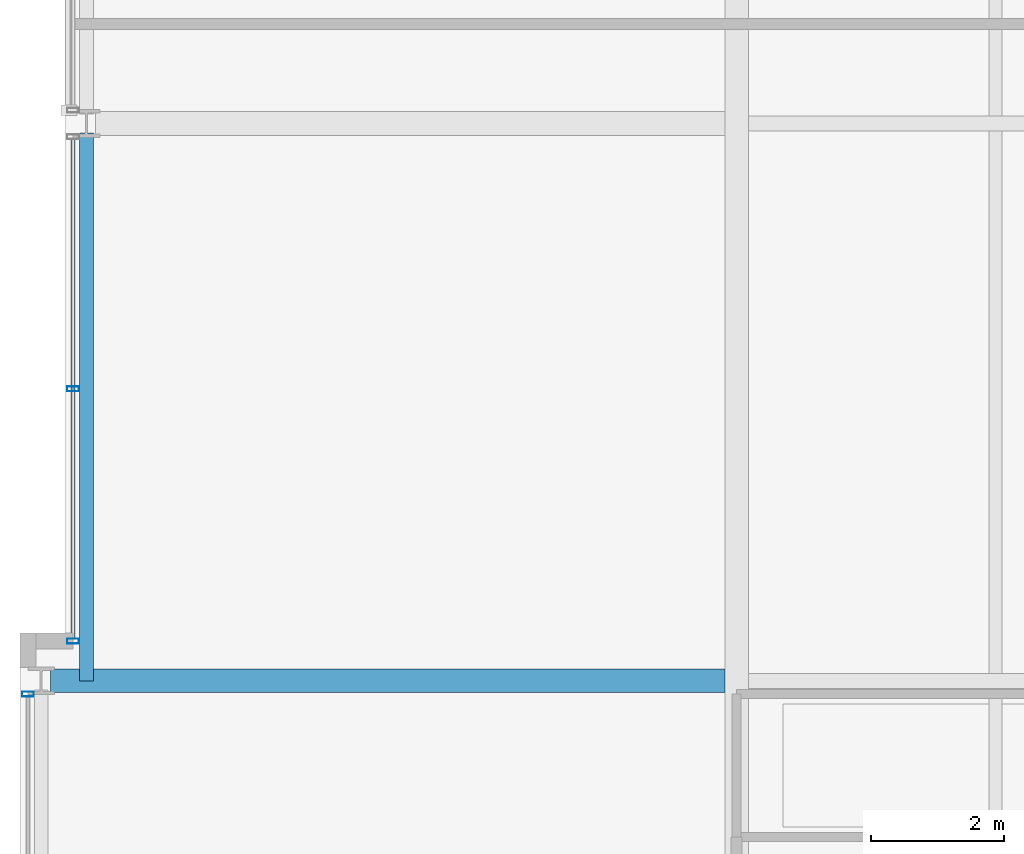
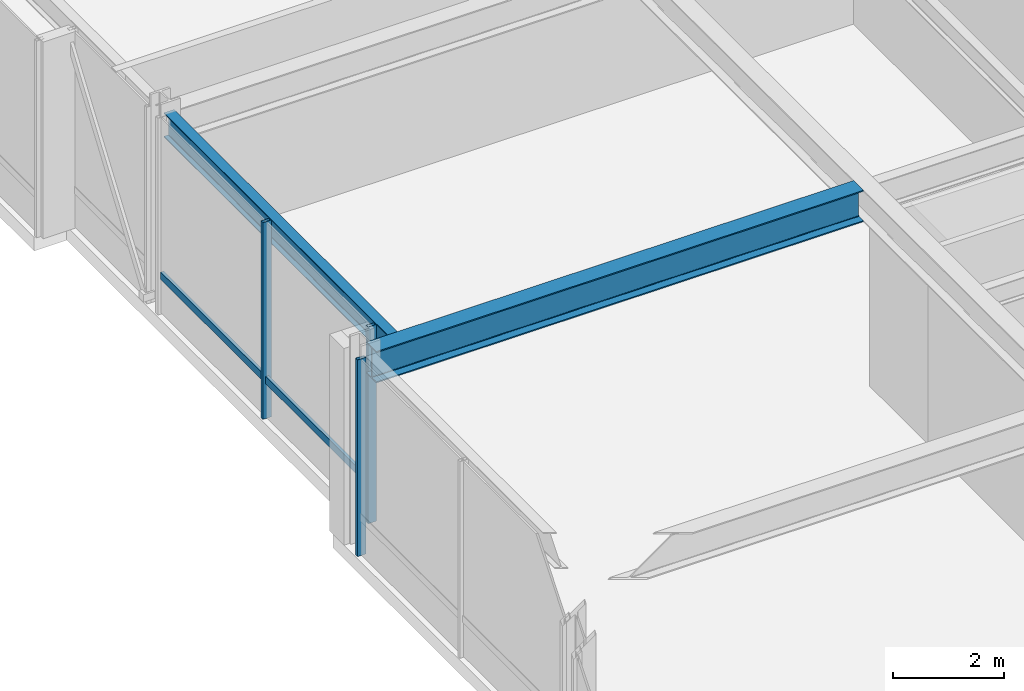
# One storey, part 7 of 32: 4 members, 2 beams, 2 elements without a shape of their own.
"""IFC4 building model written with IfcOpenShell, lengths in metres."""

from ifc_helpers import new_model, si_unit, direction, frame, origin, origin_2d, place, context, subcontext, project, spatial, hollow_rectangle, i_section, extrude, material, layer, layer_set, material_profile, profile_set, type_object, element, aggregate, save


model = new_model("IFC4")

# Units and contexts
model_context = context("Model", 3, precision=1e-05, world=origin(), true_north=direction((0.0, 1.0)))
body_context = subcontext(model_context, "Body", "Model", "MODEL_VIEW")
ifc_project = project(units=[si_unit("LENGTHUNIT", "METRE"), si_unit("AREAUNIT", "SQUARE_METRE"), si_unit("VOLUMEUNIT", "CUBIC_METRE"), si_unit("PLANEANGLEUNIT", "RADIAN"), si_unit("MASSUNIT", "GRAM", prefix="KILO")], contexts=[model_context])

# Site, building, storey
site_placement = place(None, origin())
site = spatial("IfcSite", under=ifc_project, at=site_placement, CompositionType="ELEMENT")
building_placement = place(site_placement, origin())
building = spatial("IfcBuilding", under=site, at=building_placement, Name="Drelvath Grand Hotel", CompositionType="ELEMENT")
storey_placement = place(building_placement, frame((0.0, 0.0, 145.800048828125)))
storey = spatial("IfcBuildingStorey", under=building, at=storey_placement, Name="L37", CompositionType="ELEMENT", Elevation=145.800048828125)

# Curtain wall, member
ifc_material_1 = material(Name="Brushed Pale-Silver Anodised Aluminium Frame", Category="aluminium")
ifc_layer = layer(ifc_material_1, 0.199951171875)
ifc_layer_set = layer_set([ifc_layer], Name="Brushed Pale-Silver Anodised Aluminium Frame")
curtain_wall_type = type_object("IfcCurtainWallType", Name="Stick Curtain Wall CW-04 Brushed Silver Upper-Mid", PredefinedType="NOTDEFINED", material=ifc_layer_set)
curtain_wall_1_placement = place(storey_placement, origin())
curtain_wall_1 = element("IfcCurtainWall", 1, at=curtain_wall_1_placement, inside=storey, type_object=curtain_wall_type, Name="L37 CW-04 Curtain Wall CW04-L37-WM1", PredefinedType="NOTDEFINED")
ifc_material_profile_1 = material_profile(ifc_material_1, hollow_rectangle(XDim=0.06494140625, YDim=0.159912109375, WallThickness=0.00390625, at=origin_2d()), Name="HSS160X65X4")
ifc_profile_set_1 = profile_set([ifc_material_profile_1], Name="Brushed Pale-Silver Anodised Aluminium Frame")
member_type_1 = type_object("IfcMemberType", Name="Curtain Wall Horizontal Transom CW-04 HSS160X65X4", PredefinedType="USERDEFINED", material=ifc_profile_set_1)
member_1_placement = place(storey_placement, frame((-26.199951171875, 19.239990234375, 0.849853515625), z_axis=(0.0, 1.0, 0.0), x_axis=(-1.0, 0.0, 0.0)))
member_1 = element("IfcMember", 2, at=member_1_placement, type_object=member_type_1, Name="CW04-L37-WM1 Sill Transom", ObjectType="TRANSOM", PredefinedType="USERDEFINED", context=body_context, shape_type="SweptSolid", body=[
    extrude(hollow_rectangle(XDim=0.06494140625, YDim=0.159912109375, WallThickness=0.00390625, at=origin_2d()), origin(), (0.0, 0.0, 1.0), 7.52001953125),
])

curtain_wall_2_placement = place(storey_placement, origin())
curtain_wall_2 = element("IfcCurtainWall", 3, at=curtain_wall_2_placement, inside=storey, type_object=curtain_wall_type, Name="L37 CW-04 Curtain Wall CW04-L37-WS2", PredefinedType="NOTDEFINED")
ifc_material_profile_2 = material_profile(ifc_material_1, hollow_rectangle(XDim=0.074951171875, YDim=0.179931640625, WallThickness=0.0048828125, at=origin_2d()), Name="HSS180X75X5")
ifc_profile_set_2 = profile_set([ifc_material_profile_2], Name="Brushed Pale-Silver Anodised Aluminium Frame")
member_type_2 = type_object("IfcMemberType", Name="Curtain Wall Vertical Mullion CW-04 HSS180X75X5", PredefinedType="MULLION", material=ifc_profile_set_2)
member_2_placement = place(storey_placement, frame((-26.8798828125, 18.39990234375, 0.0), z_axis=(0.0, 0.0, 1.0), x_axis=(0.0, 1.0, 0.0)))
member_2 = element("IfcMember", 4, at=member_2_placement, type_object=member_type_2, Name="CW04-L37-WS2 Mullion 3", PredefinedType="MULLION", context=body_context, shape_type="SweptSolid", body=[
    extrude(hollow_rectangle(XDim=0.074951171875, YDim=0.179931640625, WallThickness=0.0048828125, at=origin_2d()), origin(), (0.0, 0.0, 1.0), 4.33984375),
])
aggregate(curtain_wall_2, [member_2])

# Member
member_3_placement = place(storey_placement, frame((-26.199951171875, 19.199951171875, 0.0), z_axis=(0.0, 0.0, 1.0), x_axis=(0.0, 1.0, 0.0)))
member_3 = element("IfcMember", 5, at=member_3_placement, type_object=member_type_2, Name="CW04-L37-WM1 Mullion 1", PredefinedType="MULLION", context=body_context, shape_type="SweptSolid", body=[
    extrude(hollow_rectangle(XDim=0.074951171875, YDim=0.179931640625, WallThickness=0.0048828125, at=origin_2d()), origin(), (0.0, 0.0, 1.0), 4.33984375),
])

member_4_placement = place(storey_placement, frame((-26.199951171875, 23.0, 0.0), z_axis=(0.0, 0.0, 1.0), x_axis=(0.0, 1.0, 0.0)))
member_4 = element("IfcMember", 6, at=member_4_placement, type_object=member_type_2, Name="CW04-L37-WM1 Mullion 2", PredefinedType="MULLION", context=body_context, shape_type="SweptSolid", body=[
    extrude(hollow_rectangle(XDim=0.074951171875, YDim=0.179931640625, WallThickness=0.0048828125, at=origin_2d()), origin(), (0.0, 0.0, 1.0), 4.33984375),
])

aggregate(curtain_wall_1, [member_3, member_4, member_1])

# Beams
ifc_material_2 = material(Name="Steel ASTM A992 Gr 50", Category="steel")
ifc_material_profile_3 = material_profile(ifc_material_2, i_section(OverallWidth=0.210205078125, OverallDepth=0.53662109375, WebThickness=0.010986328125, FlangeThickness=0.017333984375, FilletRadius=0.01806640625, at=origin_2d()), Name="W21X68")
ifc_profile_set_3 = profile_set([ifc_material_profile_3], Name="Steel ASTM A992 Gr 50")
beam_type_1 = type_object("IfcBeamType", Name="Perimeter Spandrel Beam W21X68", PredefinedType="SPANDREL", material=ifc_profile_set_3)
beam_1_placement = place(storey_placement, frame((-26.0, 18.60009765625, 4.071533203125), z_axis=(0.0, 1.0, 0.0), x_axis=(-1.0, 0.0, 0.0)))
element("IfcBeam", 7, at=beam_1_placement, inside=storey, type_object=beam_type_1, Name="L37 Spandrel West Mid S", PredefinedType="SPANDREL", context=body_context, shape_type="SweptSolid", body=[
    extrude(i_section(OverallWidth=0.210205078125, OverallDepth=0.53662109375, WebThickness=0.010986328125, FlangeThickness=0.017333984375, FilletRadius=0.01806640625, at=origin_2d()), origin(), (0.0, 0.0, 1.0), 8.260009765625),
])
ifc_material_profile_4 = material_profile(ifc_material_2, i_section(OverallWidth=0.354736328125, OverallDepth=0.695556640625, WebThickness=0.015380859375, FlangeThickness=0.025146484375, FilletRadius=0.02392578125, at=origin_2d()), Name="W27X146")
ifc_profile_set_4 = profile_set([ifc_material_profile_4], Name="Steel ASTM A992 Gr 50")
beam_type_2 = type_object("IfcBeamType", Name="Primary Floor Girder W27X146", PredefinedType="BEAM", material=ifc_profile_set_4)
beam_2_placement = place(storey_placement, frame((-26.5400390625, 18.60009765625, 3.9921875), z_axis=(1.0, 0.0, 0.0), x_axis=(0.0, 1.0, 0.0)))
element("IfcBeam", 8, at=beam_2_placement, inside=storey, type_object=beam_type_2, Name="L37 West Wing Girder D", PredefinedType="BEAM", context=body_context, shape_type="SweptSolid", body=[
    extrude(i_section(OverallWidth=0.354736328125, OverallDepth=0.695556640625, WebThickness=0.015380859375, FlangeThickness=0.025146484375, FilletRadius=0.02392578125, at=origin_2d()), origin(), (0.0, 0.0, 1.0), 10.16259765625),
])

save(model, "model.ifc")
